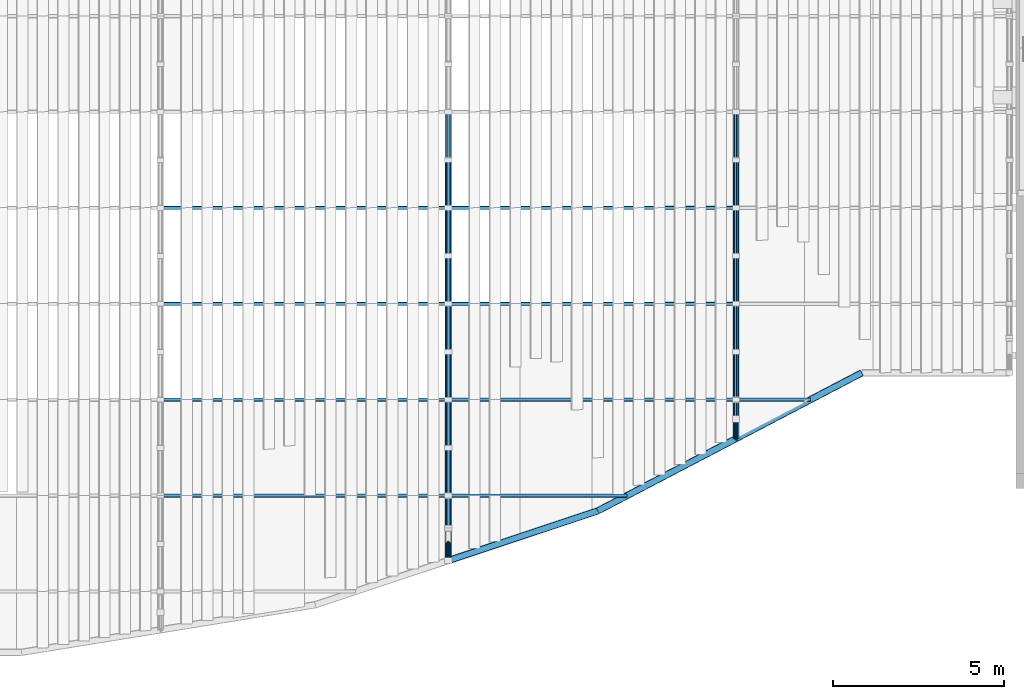
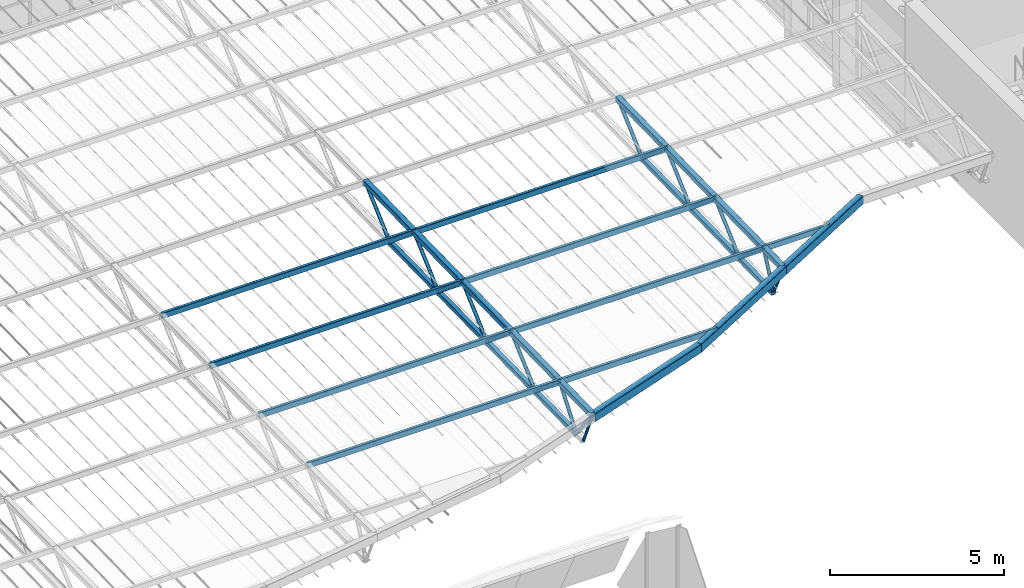
# One storey, part 27 of 129: 44 members, 3 beams.
"""IFC4 building model written with IfcOpenShell, lengths in metres."""

from ifc_helpers import new_model, si_unit, direction, frame, origin, origin_2d, place, context, subcontext, project, spatial, hollow_rectangle, hollow_circle, extrude, material, material_profile, profile_set, type_object, element, save


model = new_model("IFC4")

# Units and contexts
model_context = context("Model", 3, precision=1e-05, world=origin(), true_north=direction((0.0, 1.0)))
body_context = subcontext(model_context, "Body", "Model", "MODEL_VIEW")
ifc_project = project(units=[si_unit("LENGTHUNIT", "METRE"), si_unit("AREAUNIT", "SQUARE_METRE"), si_unit("VOLUMEUNIT", "CUBIC_METRE"), si_unit("PLANEANGLEUNIT", "RADIAN"), si_unit("MASSUNIT", "GRAM", prefix="KILO")], contexts=[model_context])

# Site, building, storey
site_placement = place(None, origin())
site = spatial("IfcSite", under=ifc_project, at=site_placement, CompositionType="ELEMENT")
building_placement = place(site_placement, origin())
building = spatial("IfcBuilding", under=site, at=building_placement, Name="Ardhachandra Cancer Care Centre", CompositionType="ELEMENT")
storey_placement = place(building_placement, frame((0.0, 0.0, 4.5)))
storey = spatial("IfcBuildingStorey", under=building, at=storey_placement, Name="L01", CompositionType="ELEMENT", Elevation=4.5)

# Members
ifc_material_1 = material(Name="Steel E350 (IS 2062)", Category="steel")
ifc_material_profile_1 = material_profile(ifc_material_1, hollow_rectangle(XDim=0.10009765625, YDim=0.199951171875, WallThickness=0.006103515625, InnerFilletRadius=0.006103515625, OuterFilletRadius=0.011962890625, at=origin_2d()), Name="RHS 200x100x6.0")
ifc_profile_set_1 = profile_set([ifc_material_profile_1], Name="Steel E350 (IS 2062)")
member_type_1 = type_object("IfcMemberType", Name="Canopy purlin RHS 200x100x6.0", PredefinedType="PURLIN", material=ifc_profile_set_1)
member_1_placement = place(storey_placement, frame((86.39990234375, 37.375, 2.507568359375), z_axis=(1.0, 0.0, 0.0), x_axis=(0.0, 1.0, 0.0)))
element("IfcMember", 1, at=member_1_placement, inside=storey, type_object=member_type_1, Name="Canopy purlin 6-6", PredefinedType="PURLIN", context=body_context, shape_type="SweptSolid", body=[
    extrude(hollow_rectangle(XDim=0.10009765625, YDim=0.199951171875, WallThickness=0.006103515625, InnerFilletRadius=0.006103515625, OuterFilletRadius=0.011962890625, at=origin_2d()), origin(), (0.0, 0.0, 1.0), 8.400146484375),
])
member_2_placement = place(storey_placement, frame((94.800048828125, 37.375, 2.507568359375), z_axis=(1.0, 0.0, 0.0), x_axis=(0.0, 1.0, 0.0)))
element("IfcMember", 2, at=member_2_placement, inside=storey, type_object=member_type_1, Name="Canopy purlin 6-7", PredefinedType="PURLIN", context=body_context, shape_type="SweptSolid", body=[
    extrude(hollow_rectangle(XDim=0.10009765625, YDim=0.199951171875, WallThickness=0.006103515625, InnerFilletRadius=0.006103515625, OuterFilletRadius=0.011962890625, at=origin_2d()), origin(), (0.0, 0.0, 1.0), 8.39990234375),
])
member_3_placement = place(storey_placement, frame((86.39990234375, 34.574951171875, 2.451416015625), z_axis=(1.0, 0.0, 0.0), x_axis=(0.0, 1.0, 0.0)))
element("IfcMember", 3, at=member_3_placement, inside=storey, type_object=member_type_1, Name="Canopy purlin 7-6", PredefinedType="PURLIN", context=body_context, shape_type="SweptSolid", body=[
    extrude(hollow_rectangle(XDim=0.10009765625, YDim=0.199951171875, WallThickness=0.006103515625, InnerFilletRadius=0.006103515625, OuterFilletRadius=0.011962890625, at=origin_2d()), origin(), (0.0, 0.0, 1.0), 8.400146484375),
])
member_4_placement = place(storey_placement, frame((94.800048828125, 34.574951171875, 2.451416015625), z_axis=(1.0, 0.0, 0.0), x_axis=(0.0, 1.0, 0.0)))
element("IfcMember", 4, at=member_4_placement, inside=storey, type_object=member_type_1, Name="Canopy purlin 7-7", PredefinedType="PURLIN", context=body_context, shape_type="SweptSolid", body=[
    extrude(hollow_rectangle(XDim=0.10009765625, YDim=0.199951171875, WallThickness=0.006103515625, InnerFilletRadius=0.006103515625, OuterFilletRadius=0.011962890625, at=origin_2d()), origin(), (0.0, 0.0, 1.0), 8.39990234375),
])
member_5_placement = place(storey_placement, frame((86.39990234375, 31.77490234375, 2.3955078125), z_axis=(1.0, 0.0, 0.0), x_axis=(0.0, 1.0, 0.0)))
element("IfcMember", 5, at=member_5_placement, inside=storey, type_object=member_type_1, Name="Canopy purlin 8-6", PredefinedType="PURLIN", context=body_context, shape_type="SweptSolid", body=[
    extrude(hollow_rectangle(XDim=0.10009765625, YDim=0.199951171875, WallThickness=0.006103515625, InnerFilletRadius=0.006103515625, OuterFilletRadius=0.011962890625, at=origin_2d()), origin(), (0.0, 0.0, 1.0), 8.400146484375),
])
member_6_placement = place(storey_placement, frame((94.800048828125, 31.77490234375, 2.3955078125), z_axis=(1.0, 0.0, 0.0), x_axis=(0.0, 1.0, 0.0)))
element("IfcMember", 6, at=member_6_placement, inside=storey, type_object=member_type_1, Name="Canopy purlin 8-7", PredefinedType="PURLIN", context=body_context, shape_type="SweptSolid", body=[
    extrude(hollow_rectangle(XDim=0.10009765625, YDim=0.199951171875, WallThickness=0.006103515625, InnerFilletRadius=0.006103515625, OuterFilletRadius=0.011962890625, at=origin_2d()), origin(), (0.0, 0.0, 1.0), 8.39990234375),
])
member_7_placement = place(storey_placement, frame((103.199951171875, 31.77490234375, 2.3955078125), z_axis=(1.0, 0.0, 0.0), x_axis=(0.0, 1.0, 0.0)))
element("IfcMember", 7, at=member_7_placement, inside=storey, type_object=member_type_1, Name="Canopy purlin 8-8", PredefinedType="PURLIN", context=body_context, shape_type="SweptSolid", body=[
    extrude(hollow_rectangle(XDim=0.10009765625, YDim=0.199951171875, WallThickness=0.006103515625, InnerFilletRadius=0.006103515625, OuterFilletRadius=0.011962890625, at=origin_2d()), origin(), (0.0, 0.0, 1.0), 2.17529296875),
])
member_8_placement = place(storey_placement, frame((86.39990234375, 28.97509765625, 2.339599609375), z_axis=(1.0, 0.0, 0.0), x_axis=(0.0, 1.0, 0.0)))
element("IfcMember", 8, at=member_8_placement, inside=storey, type_object=member_type_1, Name="Canopy purlin 9-6", PredefinedType="PURLIN", context=body_context, shape_type="SweptSolid", body=[
    extrude(hollow_rectangle(XDim=0.10009765625, YDim=0.199951171875, WallThickness=0.006103515625, InnerFilletRadius=0.006103515625, OuterFilletRadius=0.011962890625, at=origin_2d()), origin(), (0.0, 0.0, 1.0), 8.400146484375),
])
member_9_placement = place(storey_placement, frame((94.800048828125, 28.97509765625, 2.339599609375), z_axis=(1.0, 0.0, 0.0), x_axis=(0.0, 1.0, 0.0)))
element("IfcMember", 9, at=member_9_placement, inside=storey, type_object=member_type_1, Name="Canopy purlin 9-7", PredefinedType="PURLIN", context=body_context, shape_type="SweptSolid", body=[
    extrude(hollow_rectangle(XDim=0.10009765625, YDim=0.199951171875, WallThickness=0.006103515625, InnerFilletRadius=0.006103515625, OuterFilletRadius=0.011962890625, at=origin_2d()), origin(), (0.0, 0.0, 1.0), 5.219970703125),
])

# Beams
ifc_material_2 = material(Name="Steel E350 (IS 2062)", Category="steel")
ifc_material_profile_2 = material_profile(ifc_material_2, hollow_rectangle(XDim=0.199951171875, YDim=0.300048828125, WallThickness=0.010009765625, InnerFilletRadius=0.010009765625, OuterFilletRadius=0.02001953125, at=origin_2d()), Name="RHS 300x200x10.0")
ifc_profile_set_2 = profile_set([ifc_material_profile_2], Name="Steel E350 (IS 2062)")
beam_type = type_object("IfcBeamType", Name="Canopy ring and eave beam RHS 300x200x10.0", PredefinedType="BEAM", material=ifc_profile_set_2)
beam_1_placement = place(storey_placement, frame((94.800048828125, 27.076171875, 2.25146484375), z_axis=(0.948849913109, 0.315664354655, 0.006313287093), x_axis=(-0.315670645653, 0.948868823111, 0.0)))
element("IfcBeam", 10, at=beam_1_placement, inside=storey, type_object=beam_type, Name="Canopy ring beam 13", PredefinedType="BEAM", context=body_context, shape_type="SweptSolid", body=[
    extrude(hollow_rectangle(XDim=0.199951171875, YDim=0.300048828125, WallThickness=0.010009765625, InnerFilletRadius=0.010009765625, OuterFilletRadius=0.02001953125, at=origin_2d()), origin(), (0.0, 0.0, 1.0), 4.601806640625),
])
beam_2_placement = place(storey_placement, frame((99.16650390625, 28.52880859375, 2.280517578125), z_axis=(0.886142743099, 0.463319473088, 0.009279262427), x_axis=(-0.463339421371, 0.886180896095, 0.0)))
element("IfcBeam", 11, at=beam_2_placement, inside=storey, type_object=beam_type, Name="Canopy ring beam 14", PredefinedType="BEAM", context=body_context, shape_type="SweptSolid", body=[
    extrude(hollow_rectangle(XDim=0.199951171875, YDim=0.300048828125, WallThickness=0.010009765625, InnerFilletRadius=0.010009765625, OuterFilletRadius=0.02001953125, at=origin_2d()), origin(), (0.0, 0.0, 1.0), 4.5517578125),
])
beam_3_placement = place(storey_placement, frame((103.199951171875, 30.6376953125, 2.32275390625), z_axis=(0.886146283757, 0.46331326745, 0.009250945312), x_axis=(-0.463333093895, 0.886184204385, 0.0)))
element("IfcBeam", 12, at=beam_3_placement, inside=storey, type_object=beam_type, Name="Canopy ring beam 15", PredefinedType="BEAM", context=body_context, shape_type="SweptSolid", body=[
    extrude(hollow_rectangle(XDim=0.199951171875, YDim=0.300048828125, WallThickness=0.010009765625, InnerFilletRadius=0.010009765625, OuterFilletRadius=0.02001953125, at=origin_2d()), origin(), (0.0, 0.0, 1.0), 4.143310546875),
])

# Members
ifc_material_3 = material(Name="Steel E350 (IS 2062)", Category="steel")
ifc_material_profile_3 = material_profile(ifc_material_3, hollow_rectangle(XDim=0.14990234375, YDim=0.14990234375, WallThickness=0.006103515625, InnerFilletRadius=0.006103515625, OuterFilletRadius=0.011962890625, at=origin_2d()), Name="SHS 150x150x6.0")
ifc_profile_set_3 = profile_set([ifc_material_profile_3], Name="Steel E350 (IS 2062)")
member_type_2 = type_object("IfcMemberType", Name="Canopy truss bottom chord SHS 150x150x6.0", PredefinedType="CHORD", material=ifc_profile_set_3)
member_10_placement = place(storey_placement, frame((94.800048828125, 38.77490234375, 1.310546875), z_axis=(0.0, -0.999798942946, -0.020051775103), x_axis=(1.0, 0.0, 0.0)))
element("IfcMember", 13, at=member_10_placement, inside=storey, type_object=member_type_2, Name="Canopy truss 7 bottom chord BC17", PredefinedType="CHORD", context=body_context, shape_type="SweptSolid", body=[
    extrude(hollow_rectangle(XDim=0.14990234375, YDim=0.14990234375, WallThickness=0.006103515625, InnerFilletRadius=0.006103515625, OuterFilletRadius=0.011962890625, at=origin_2d()), origin(), (0.0, 0.0, 1.0), 2.80029296875),
])
for number, where, z_axis, x_axis, name in (
    (14, (94.800048828125, 35.97509765625, 1.25439453125), (0.0, -0.999800721691, -0.019962888244), (1.0, 0.0, 0.0), "Canopy truss 7 bottom chord BC18"),
    (15, (94.800048828125, 33.175048828125, 1.198486328125), (0.0, -0.999800721691, -0.019962888244), (1.0, 0.0, 0.0), "Canopy truss 7 bottom chord BC19"),
):
    element("IfcMember", number, at=place(storey_placement, frame(where, z_axis=z_axis, x_axis=x_axis)), inside=storey, type_object=member_type_2, Name=name, PredefinedType="CHORD", context=body_context, shape_type="SweptSolid", body=[
        extrude(hollow_rectangle(XDim=0.14990234375, YDim=0.14990234375, WallThickness=0.006103515625, InnerFilletRadius=0.006103515625, OuterFilletRadius=0.011962890625, at=origin_2d()), origin(), (0.0, 0.0, 1.0), 2.800537109375),
    ])
member_11_placement = place(storey_placement, frame((94.800048828125, 30.375, 1.142578125), z_axis=(0.0, -0.99979893677, -0.020052083009), x_axis=(1.0, 0.0, 0.0)))
element("IfcMember", 16, at=member_11_placement, inside=storey, type_object=member_type_2, Name="Canopy truss 7 bottom chord BC20", PredefinedType="CHORD", context=body_context, shape_type="SweptSolid", body=[
    extrude(hollow_rectangle(XDim=0.14990234375, YDim=0.14990234375, WallThickness=0.006103515625, InnerFilletRadius=0.006103515625, OuterFilletRadius=0.011962890625, at=origin_2d()), origin(), (0.0, 0.0, 1.0), 2.349853515625),
])
member_12_placement = place(storey_placement, frame((103.199951171875, 38.77490234375, 1.310546875), z_axis=(0.0, -0.999798942946, -0.020051775103), x_axis=(1.0, 0.0, 0.0)))
element("IfcMember", 17, at=member_12_placement, inside=storey, type_object=member_type_2, Name="Canopy truss 8 bottom chord BC16", PredefinedType="CHORD", context=body_context, shape_type="SweptSolid", body=[
    extrude(hollow_rectangle(XDim=0.14990234375, YDim=0.14990234375, WallThickness=0.006103515625, InnerFilletRadius=0.006103515625, OuterFilletRadius=0.011962890625, at=origin_2d()), origin(), (0.0, 0.0, 1.0), 2.80029296875),
])
member_13_placement = place(storey_placement, frame((103.199951171875, 35.97509765625, 1.25439453125), z_axis=(0.0, -0.999800721691, -0.019962888244), x_axis=(1.0, 0.0, 0.0)))
element("IfcMember", 18, at=member_13_placement, inside=storey, type_object=member_type_2, Name="Canopy truss 8 bottom chord BC17", PredefinedType="CHORD", context=body_context, shape_type="SweptSolid", body=[
    extrude(hollow_rectangle(XDim=0.14990234375, YDim=0.14990234375, WallThickness=0.006103515625, InnerFilletRadius=0.006103515625, OuterFilletRadius=0.011962890625, at=origin_2d()), origin(), (0.0, 0.0, 1.0), 2.800537109375),
])
member_14_placement = place(storey_placement, frame((103.199951171875, 33.175048828125, 1.198486328125), z_axis=(0.0, -0.999800208876, -0.019988555027), x_axis=(1.0, 0.0, 0.0)))
element("IfcMember", 19, at=member_14_placement, inside=storey, type_object=member_type_2, Name="Canopy truss 8 bottom chord BC18", PredefinedType="CHORD", context=body_context, shape_type="SweptSolid", body=[
    extrude(hollow_rectangle(XDim=0.14990234375, YDim=0.14990234375, WallThickness=0.006103515625, InnerFilletRadius=0.006103515625, OuterFilletRadius=0.011962890625, at=origin_2d()), origin(), (0.0, 0.0, 1.0), 1.966552734375),
])
ifc_material_4 = material(Name="Steel E350 (IS 2062)", Category="steel")
ifc_material_profile_4 = material_profile(ifc_material_4, hollow_circle(Radius=0.05712890625, WallThickness=0.0048828125, at=origin_2d()), Name="CHS 114.3x5.0")
ifc_profile_set_4 = profile_set([ifc_material_profile_4], Name="Steel E350 (IS 2062)")
member_type_3 = type_object("IfcMemberType", Name="Canopy truss diagonal CHS 114.3x5.0", PredefinedType="BRACE", material=ifc_profile_set_4)
member_15_placement = place(storey_placement, frame((94.800048828125, 40.175048828125, 2.573486328125), z_axis=(0.0, -0.742553308775, -0.669786968839), x_axis=(1.0, 0.0, 0.0)))
element("IfcMember", 20, at=member_15_placement, inside=storey, type_object=member_type_3, Name="Canopy truss 7 web diagonal WD32", PredefinedType="BRACE", context=body_context, shape_type="SweptSolid", body=[
    extrude(hollow_circle(Radius=0.05712890625, WallThickness=0.0048828125, at=origin_2d()), origin(), (0.0, 0.0, 1.0), 1.885498046875),
])
member_16_placement = place(storey_placement, frame((94.800048828125, 38.77490234375, 1.310546875), z_axis=(0.0, -0.757351396119, 0.653007551868), x_axis=(1.0, 0.0, 0.0)))
element("IfcMember", 21, at=member_16_placement, inside=storey, type_object=member_type_3, Name="Canopy truss 7 web diagonal WD33", PredefinedType="BRACE", context=body_context, shape_type="SweptSolid", body=[
    extrude(hollow_circle(Radius=0.05712890625, WallThickness=0.0048828125, at=origin_2d()), origin(), (0.0, 0.0, 1.0), 1.848388671875),
])
member_17_placement = place(storey_placement, frame((94.800048828125, 37.375, 2.517578125), z_axis=(0.0, -0.742430813776, -0.669922746857), x_axis=(1.0, 0.0, 0.0)))
element("IfcMember", 22, at=member_17_placement, inside=storey, type_object=member_type_3, Name="Canopy truss 7 web diagonal WD34", PredefinedType="BRACE", context=body_context, shape_type="SweptSolid", body=[
    extrude(hollow_circle(Radius=0.05712890625, WallThickness=0.0048828125, at=origin_2d()), origin(), (0.0, 0.0, 1.0), 1.885498046875),
])
member_18_placement = place(storey_placement, frame((94.800048828125, 35.97509765625, 1.25439453125), z_axis=(0.0, -0.75740770942, 0.65294223459), x_axis=(1.0, 0.0, 0.0)))
element("IfcMember", 23, at=member_18_placement, inside=storey, type_object=member_type_3, Name="Canopy truss 7 web diagonal WD35", PredefinedType="BRACE", context=body_context, shape_type="SweptSolid", body=[
    extrude(hollow_circle(Radius=0.05712890625, WallThickness=0.0048828125, at=origin_2d()), origin(), (0.0, 0.0, 1.0), 1.8486328125),
])
member_19_placement = place(storey_placement, frame((94.800048828125, 34.574951171875, 2.46142578125), z_axis=(0.0, -0.742495214915, -0.669851368461), x_axis=(1.0, 0.0, 0.0)))
element("IfcMember", 24, at=member_19_placement, inside=storey, type_object=member_type_3, Name="Canopy truss 7 web diagonal WD36", PredefinedType="BRACE", context=body_context, shape_type="SweptSolid", body=[
    extrude(hollow_circle(Radius=0.05712890625, WallThickness=0.0048828125, at=origin_2d()), origin(), (0.0, 0.0, 1.0), 1.885498046875),
])
member_20_placement = place(storey_placement, frame((94.800048828125, 33.175048828125, 1.198486328125), z_axis=(0.0, -0.75740770942, 0.65294223459), x_axis=(1.0, 0.0, 0.0)))
element("IfcMember", 25, at=member_20_placement, inside=storey, type_object=member_type_3, Name="Canopy truss 7 web diagonal WD37", PredefinedType="BRACE", context=body_context, shape_type="SweptSolid", body=[
    extrude(hollow_circle(Radius=0.05712890625, WallThickness=0.0048828125, at=origin_2d()), origin(), (0.0, 0.0, 1.0), 1.8486328125),
])
member_21_placement = place(storey_placement, frame((94.800048828125, 31.77490234375, 2.405517578125), z_axis=(0.0, -0.742495214915, -0.669851368461), x_axis=(1.0, 0.0, 0.0)))
element("IfcMember", 26, at=member_21_placement, inside=storey, type_object=member_type_3, Name="Canopy truss 7 web diagonal WD38", PredefinedType="BRACE", context=body_context, shape_type="SweptSolid", body=[
    extrude(hollow_circle(Radius=0.05712890625, WallThickness=0.0048828125, at=origin_2d()), origin(), (0.0, 0.0, 1.0), 1.885498046875),
])
member_22_placement = place(storey_placement, frame((94.800048828125, 30.375, 1.142578125), z_axis=(0.0, -0.757351396119, 0.653007551868), x_axis=(1.0, 0.0, 0.0)))
element("IfcMember", 27, at=member_22_placement, inside=storey, type_object=member_type_3, Name="Canopy truss 7 web diagonal WD39", PredefinedType="BRACE", context=body_context, shape_type="SweptSolid", body=[
    extrude(hollow_circle(Radius=0.05712890625, WallThickness=0.0048828125, at=origin_2d()), origin(), (0.0, 0.0, 1.0), 1.848388671875),
])
member_23_placement = place(storey_placement, frame((94.800048828125, 28.97509765625, 2.349609375), z_axis=(0.0, -0.603594692972, -0.797291318538), x_axis=(1.0, 0.0, 0.0)))
element("IfcMember", 28, at=member_23_placement, inside=storey, type_object=member_type_3, Name="Canopy truss 7 web diagonal WD40", PredefinedType="BRACE", context=body_context, shape_type="SweptSolid", body=[
    extrude(hollow_circle(Radius=0.05712890625, WallThickness=0.0048828125, at=origin_2d()), origin(), (0.0, 0.0, 1.0), 1.572998046875),
])
member_24_placement = place(storey_placement, frame((94.800048828125, 28.025634765625, 1.095458984375), z_axis=(0.0, -0.615407561201, 0.7882090672), x_axis=(1.0, 0.0, 0.0)))
element("IfcMember", 29, at=member_24_placement, inside=storey, type_object=member_type_3, Name="Canopy truss 7 web diagonal WD41", PredefinedType="BRACE", context=body_context, shape_type="SweptSolid", body=[
    extrude(hollow_circle(Radius=0.05712890625, WallThickness=0.0048828125, at=origin_2d()), origin(), (0.0, 0.0, 1.0), 1.542724609375),
])
member_25_placement = place(storey_placement, frame((103.199951171875, 40.175048828125, 2.573486328125), z_axis=(0.0, -0.742553308775, -0.669786968839), x_axis=(1.0, 0.0, 0.0)))
element("IfcMember", 30, at=member_25_placement, inside=storey, type_object=member_type_3, Name="Canopy truss 8 web diagonal WD29", PredefinedType="BRACE", context=body_context, shape_type="SweptSolid", body=[
    extrude(hollow_circle(Radius=0.05712890625, WallThickness=0.0048828125, at=origin_2d()), origin(), (0.0, 0.0, 1.0), 1.885498046875),
])
member_26_placement = place(storey_placement, frame((103.199951171875, 38.77490234375, 1.310546875), z_axis=(0.0, -0.757351396119, 0.653007551868), x_axis=(1.0, 0.0, 0.0)))
element("IfcMember", 31, at=member_26_placement, inside=storey, type_object=member_type_3, Name="Canopy truss 8 web diagonal WD30", PredefinedType="BRACE", context=body_context, shape_type="SweptSolid", body=[
    extrude(hollow_circle(Radius=0.05712890625, WallThickness=0.0048828125, at=origin_2d()), origin(), (0.0, 0.0, 1.0), 1.848388671875),
])
member_27_placement = place(storey_placement, frame((103.199951171875, 37.375, 2.517578125), z_axis=(0.0, -0.742430813776, -0.669922746857), x_axis=(1.0, 0.0, 0.0)))
element("IfcMember", 32, at=member_27_placement, inside=storey, type_object=member_type_3, Name="Canopy truss 8 web diagonal WD31", PredefinedType="BRACE", context=body_context, shape_type="SweptSolid", body=[
    extrude(hollow_circle(Radius=0.05712890625, WallThickness=0.0048828125, at=origin_2d()), origin(), (0.0, 0.0, 1.0), 1.885498046875),
])
member_28_placement = place(storey_placement, frame((103.199951171875, 35.97509765625, 1.25439453125), z_axis=(0.0, -0.75740770942, 0.65294223459), x_axis=(1.0, 0.0, 0.0)))
element("IfcMember", 33, at=member_28_placement, inside=storey, type_object=member_type_3, Name="Canopy truss 8 web diagonal WD32", PredefinedType="BRACE", context=body_context, shape_type="SweptSolid", body=[
    extrude(hollow_circle(Radius=0.05712890625, WallThickness=0.0048828125, at=origin_2d()), origin(), (0.0, 0.0, 1.0), 1.8486328125),
])
member_29_placement = place(storey_placement, frame((103.199951171875, 34.574951171875, 2.46142578125), z_axis=(0.0, -0.742495214915, -0.669851368461), x_axis=(1.0, 0.0, 0.0)))
element("IfcMember", 34, at=member_29_placement, inside=storey, type_object=member_type_3, Name="Canopy truss 8 web diagonal WD33", PredefinedType="BRACE", context=body_context, shape_type="SweptSolid", body=[
    extrude(hollow_circle(Radius=0.05712890625, WallThickness=0.0048828125, at=origin_2d()), origin(), (0.0, 0.0, 1.0), 1.885498046875),
])
member_30_placement = place(storey_placement, frame((103.199951171875, 33.175048828125, 1.198486328125), z_axis=(0.0, -0.75740770942, 0.65294223459), x_axis=(1.0, 0.0, 0.0)))
element("IfcMember", 35, at=member_30_placement, inside=storey, type_object=member_type_3, Name="Canopy truss 8 web diagonal WD34", PredefinedType="BRACE", context=body_context, shape_type="SweptSolid", body=[
    extrude(hollow_circle(Radius=0.05712890625, WallThickness=0.0048828125, at=origin_2d()), origin(), (0.0, 0.0, 1.0), 1.8486328125),
])
member_31_placement = place(storey_placement, frame((103.199951171875, 31.77490234375, 2.405517578125), z_axis=(0.0, -0.413440081811, -0.910531327716), x_axis=(1.0, 0.0, 0.0)))
element("IfcMember", 36, at=member_31_placement, inside=storey, type_object=member_type_3, Name="Canopy truss 8 web diagonal WD35", PredefinedType="BRACE", context=body_context, shape_type="SweptSolid", body=[
    extrude(hollow_circle(Radius=0.05712890625, WallThickness=0.0048828125, at=origin_2d()), origin(), (0.0, 0.0, 1.0), 1.368896484375),
])
ifc_material_5 = material(Name="Steel E350 (IS 2062)", Category="steel")
ifc_material_profile_5 = material_profile(ifc_material_5, hollow_circle(Radius=0.04443359375, WallThickness=0.00390625, at=origin_2d()), Name="CHS 88.9x4.0")
ifc_profile_set_5 = profile_set([ifc_material_profile_5], Name="Steel E350 (IS 2062)")
member_type_4 = type_object("IfcMemberType", Name="Canopy truss post CHS 88.9x4.0", PredefinedType="POST", material=ifc_profile_set_5)
member_32_placement = place(storey_placement, frame((94.800048828125, 27.076171875, 2.3115234375), z_axis=(0.0, 0.399427859342, -0.916764629107), x_axis=(-1.0, 0.0, 0.0)))
element("IfcMember", 37, at=member_32_placement, inside=storey, type_object=member_type_4, Name="Canopy truss 7 web vertical WV43", PredefinedType="POST", context=body_context, shape_type="SweptSolid", body=[
    extrude(hollow_circle(Radius=0.04443359375, WallThickness=0.00390625, at=origin_2d()), origin(), (0.0, 0.0, 1.0), 1.33544921875),
])
member_33_placement = place(storey_placement, frame((103.199951171875, 30.6376953125, 2.3828125), z_axis=(0.0, 0.423043813287, -0.906109227433), x_axis=(-1.0, 0.0, 0.0)))
element("IfcMember", 38, at=member_33_placement, inside=storey, type_object=member_type_4, Name="Canopy truss 8 web vertical WV37", PredefinedType="POST", context=body_context, shape_type="SweptSolid", body=[
    extrude(hollow_circle(Radius=0.04443359375, WallThickness=0.00390625, at=origin_2d()), origin(), (0.0, 0.0, 1.0), 1.350341796875),
])
ifc_material_6 = material(Name="Steel E350 (IS 2062)", Category="steel")
ifc_material_profile_6 = material_profile(ifc_material_6, hollow_rectangle(XDim=0.179931640625, YDim=0.179931640625, WallThickness=0.008056640625, InnerFilletRadius=0.008056640625, OuterFilletRadius=0.01611328125, at=origin_2d()), Name="SHS 180x180x8.0")
ifc_profile_set_6 = profile_set([ifc_material_profile_6], Name="Steel E350 (IS 2062)")
member_type_5 = type_object("IfcMemberType", Name="Canopy truss top chord SHS 180x180x8.0", PredefinedType="CHORD", material=ifc_profile_set_6)
for number, where, z_axis, x_axis, name in (
    (39, (94.800048828125, 40.175048828125, 2.573486328125), (0.0, -0.999800721691, -0.019962888244), (1.0, 0.0, 0.0), "Canopy truss 7 top chord TC6"),
    (40, (94.800048828125, 37.375, 2.517578125), (0.0, -0.999798977995, -0.02005002746), (1.0, 0.0, 0.0), "Canopy truss 7 top chord TC7"),
    (41, (94.800048828125, 34.574951171875, 2.46142578125), (0.0, -0.999800721691, -0.019962888244), (1.0, 0.0, 0.0), "Canopy truss 7 top chord TC8"),
):
    element("IfcMember", number, at=place(storey_placement, frame(where, z_axis=z_axis, x_axis=x_axis)), inside=storey, type_object=member_type_5, Name=name, PredefinedType="CHORD", context=body_context, shape_type="SweptSolid", body=[
        extrude(hollow_rectangle(XDim=0.179931640625, YDim=0.179931640625, WallThickness=0.008056640625, InnerFilletRadius=0.008056640625, OuterFilletRadius=0.01611328125, at=origin_2d()), origin(), (0.0, 0.0, 1.0), 2.800537109375),
    ])
member_34_placement = place(storey_placement, frame((94.800048828125, 31.77490234375, 2.405517578125), z_axis=(0.0, -0.999800686946, -0.019964628297), x_axis=(1.0, 0.0, 0.0)))
element("IfcMember", 42, at=member_34_placement, inside=storey, type_object=member_type_5, Name="Canopy truss 7 top chord TC9", PredefinedType="CHORD", context=body_context, shape_type="SweptSolid", body=[
    extrude(hollow_rectangle(XDim=0.179931640625, YDim=0.179931640625, WallThickness=0.008056640625, InnerFilletRadius=0.008056640625, OuterFilletRadius=0.01611328125, at=origin_2d()), origin(), (0.0, 0.0, 1.0), 2.80029296875),
])
member_35_placement = place(storey_placement, frame((94.800048828125, 28.97509765625, 2.349609375), z_axis=(0.0, -0.999798927665, -0.020052536991), x_axis=(1.0, 0.0, 0.0)))
element("IfcMember", 43, at=member_35_placement, inside=storey, type_object=member_type_5, Name="Canopy truss 7 top chord TC10", PredefinedType="CHORD", context=body_context, shape_type="SweptSolid", body=[
    extrude(hollow_rectangle(XDim=0.179931640625, YDim=0.179931640625, WallThickness=0.008056640625, InnerFilletRadius=0.008056640625, OuterFilletRadius=0.01611328125, at=origin_2d()), origin(), (0.0, 0.0, 1.0), 1.8994140625),
])
for number, where, z_axis, x_axis, name in (
    (44, (103.199951171875, 40.175048828125, 2.573486328125), (0.0, -0.999800721691, -0.019962888244), (1.0, 0.0, 0.0), "Canopy truss 8 top chord TC6"),
    (45, (103.199951171875, 37.375, 2.517578125), (0.0, -0.999798977995, -0.02005002746), (1.0, 0.0, 0.0), "Canopy truss 8 top chord TC7"),
    (46, (103.199951171875, 34.574951171875, 2.46142578125), (0.0, -0.999800721691, -0.019962888244), (1.0, 0.0, 0.0), "Canopy truss 8 top chord TC8"),
):
    element("IfcMember", number, at=place(storey_placement, frame(where, z_axis=z_axis, x_axis=x_axis)), inside=storey, type_object=member_type_5, Name=name, PredefinedType="CHORD", context=body_context, shape_type="SweptSolid", body=[
        extrude(hollow_rectangle(XDim=0.179931640625, YDim=0.179931640625, WallThickness=0.008056640625, InnerFilletRadius=0.008056640625, OuterFilletRadius=0.01611328125, at=origin_2d()), origin(), (0.0, 0.0, 1.0), 2.800537109375),
    ])
member_36_placement = place(storey_placement, frame((103.199951171875, 31.77490234375, 2.405517578125), z_axis=(0.0, -0.999800745969, -0.019961672257), x_axis=(1.0, 0.0, 0.0)))
element("IfcMember", 47, at=member_36_placement, inside=storey, type_object=member_type_5, Name="Canopy truss 8 top chord TC9", PredefinedType="CHORD", context=body_context, shape_type="SweptSolid", body=[
    extrude(hollow_rectangle(XDim=0.179931640625, YDim=0.179931640625, WallThickness=0.008056640625, InnerFilletRadius=0.008056640625, OuterFilletRadius=0.01611328125, at=origin_2d()), origin(), (0.0, 0.0, 1.0), 1.137451171875),
])

save(model, "model.ifc")
